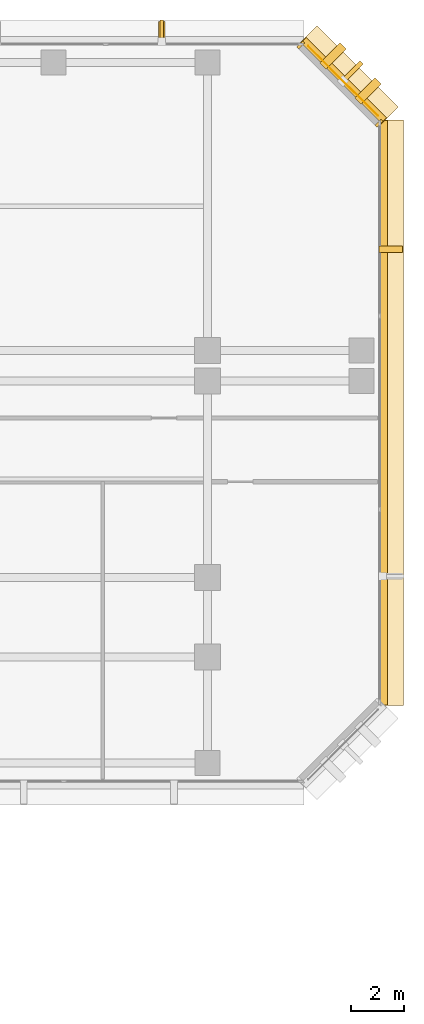
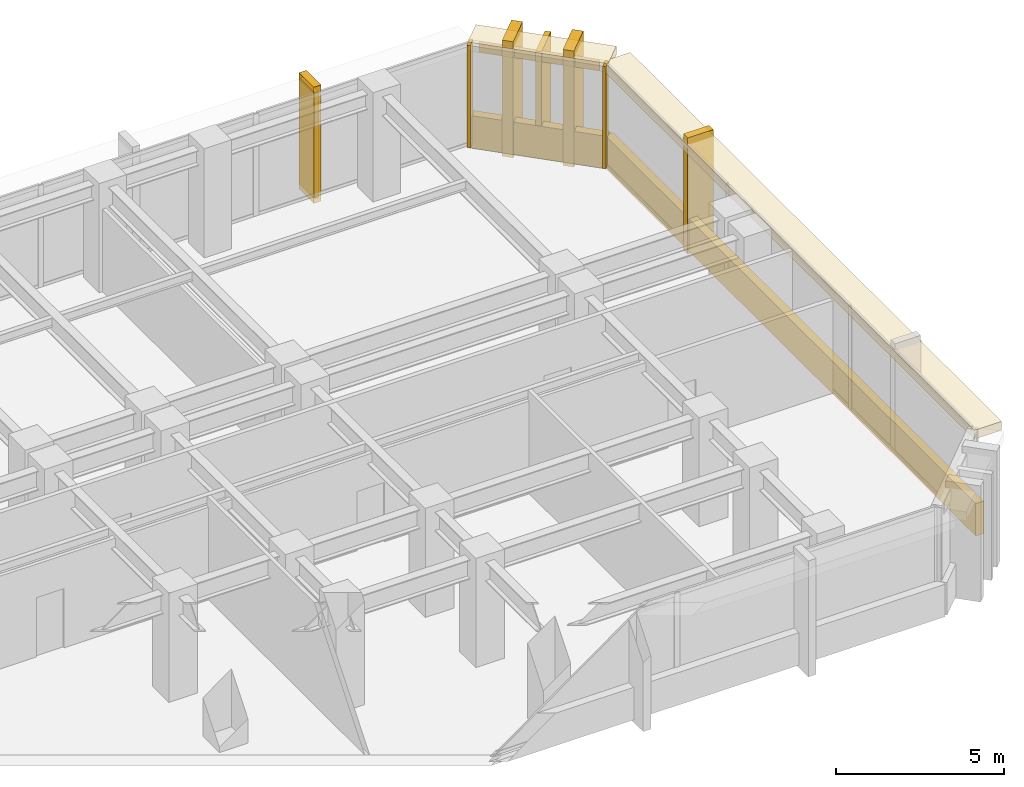
# One storey, part 14 of 14: 11 coverings, 2 shading devices.
"""IFC4 building model written with IfcOpenShell, lengths in metres."""

from ifc_helpers import new_model, si_unit, direction, frame, origin, origin_2d, place, context, subcontext, project, spatial, rectangle, extrude, material, layer, layer_set, material_profile, profile_set, type_object, element, save


model = new_model("IFC4")

# Units and contexts
model_context = context("Model", 3, precision=1e-05, world=origin(), true_north=direction((0.0, 1.0)))
body_context = subcontext(model_context, "Body", "Model", "MODEL_VIEW")
ifc_project = project(units=[si_unit("LENGTHUNIT", "METRE"), si_unit("AREAUNIT", "SQUARE_METRE"), si_unit("VOLUMEUNIT", "CUBIC_METRE"), si_unit("PLANEANGLEUNIT", "RADIAN"), si_unit("MASSUNIT", "GRAM", prefix="KILO")], contexts=[model_context])

# Site, building, storey
site_placement = place(None, origin())
site = spatial("IfcSite", under=ifc_project, at=site_placement, CompositionType="ELEMENT")
building_placement = place(site_placement, origin())
building = spatial("IfcBuilding", under=site, at=building_placement, Name="Kefirva Bronze Tower", CompositionType="ELEMENT")
storey_placement = place(building_placement, frame((0.0, 0.0, 34.320068359375)))
storey = spatial("IfcBuildingStorey", under=building, at=storey_placement, Name="L07", CompositionType="ELEMENT", Elevation=34.320068359375)

# Coverings
ifc_material = material(Name="Bronze anodised aluminium", Category="aluminium")
ifc_layer_1 = layer(ifc_material, 0.02001953125, Name="Bronze anodised aluminium")
ifc_layer_set_1 = layer_set([ifc_layer_1], Name="Bronze anodised aluminium")
covering_type_1 = type_object("IfcCoveringType", Name="Anodised Bronze Spandrel Cladding 20mm", PredefinedType="CLADDING", material=ifc_layer_set_1)
covering_1_placement = place(storey_placement, frame((56.0400390625, 32.0, -0.16015625), z_axis=(0.0, 0.0, 1.0), x_axis=(0.0, 1.0, 0.0)))
element("IfcCovering", 1, at=covering_1_placement, inside=storey, type_object=covering_type_1, Name="L07 Streamline Horizontal Spandrel Band 6", PredefinedType="CLADDING", context=body_context, shape_type="SweptSolid", body=[
    extrude(rectangle(XDim=22.0400390625, YDim=0.280029296875, at=origin_2d()), origin(), (0.0, 0.0, 1.0), 1.179931640625),
])
covering_2_placement = place(storey_placement, frame((54.507080078125, 44.507080078125, 3.2900390625), z_axis=(0.0, 0.0, 1.0), x_axis=(-0.707106781187, 0.707106781187, 0.0)))
element("IfcCovering", 2, at=covering_2_placement, inside=storey, type_object=covering_type_1, Name="L07 Bronze Spandrel Cladding 5", PredefinedType="CLADDING", context=body_context, shape_type="SweptSolid", body=[
    extrude(rectangle(XDim=3.719482421875, YDim=0.02001953125, at=origin_2d()), origin(), (0.0, 0.0, 1.0), 0.39990234375),
])
for number, where, z_axis, x_axis, name in (
    (3, (55.862060546875, 42.91162109375, 0.0), (0.0, 0.0, 1.0), (-0.707106781187, 0.707106781187, 0.0), "L07 Facade Joint Closure Panel 5S"),
    (4, (52.91162109375, 45.862060546875, 0.0), (0.0, 0.0, 1.0), (-0.707106781187, 0.707106781187, 0.0), "L07 Facade Joint Closure Panel 5E"),
):
    element("IfcCovering", number, at=place(storey_placement, frame(where, z_axis=z_axis, x_axis=x_axis)), inside=storey, type_object=covering_type_1, Name=name, PredefinedType="CLADDING", context=body_context, shape_type="SweptSolid", body=[
        extrude(rectangle(XDim=0.10009765625, YDim=0.320068359375, at=origin_2d()), origin(), (0.0, 0.0, 1.0), 3.7099609375),
    ])
covering_3_placement = place(storey_placement, frame((54.5283203125, 44.5283203125, -0.16015625), z_axis=(0.0, 0.0, 1.0), x_axis=(-0.707106781187, 0.707106781187, 0.0)))
element("IfcCovering", 5, at=covering_3_placement, inside=storey, type_object=covering_type_1, Name="L07 Streamline Horizontal Spandrel Band 7", PredefinedType="CLADDING", context=body_context, shape_type="SweptSolid", body=[
    extrude(rectangle(XDim=4.28271484375, YDim=0.280029296875, at=origin_2d()), origin(), (0.0, 0.0, 1.0), 1.179931640625),
])

# Shading device
ifc_material_profile_1 = material_profile(ifc_material, rectangle(XDim=0.179931640625, YDim=1.080078125, at=origin_2d()), Name="BRONZE BUTTRESS FIN 180x1080")
ifc_profile_set_1 = profile_set([ifc_material_profile_1], Name="Bronze anodised aluminium")
shading_device_type_1 = type_object("IfcShadingDeviceType", Name="Chamfered Corner Buttress Bronze Fin 1080mm", PredefinedType="USERDEFINED", material=ifc_profile_set_1)
shading_device_1_placement = place(storey_placement, frame((54.8251953125, 44.8251953125, -0.14013671875), z_axis=(0.0, 0.0, 1.0), x_axis=(-0.707106781187, 0.707106781187, 0.0)))
element("IfcShadingDevice", 6, at=shading_device_1_placement, inside=storey, type_object=shading_device_type_1, Name="L07 Chamfered Corner Buttress Fin 18", ObjectType="VERTICAL FIN", PredefinedType="USERDEFINED", context=body_context, shape_type="SweptSolid", body=[
    extrude(rectangle(XDim=0.179931640625, YDim=1.080078125, at=origin_2d()), origin(), (0.0, 0.0, 1.0), 3.85009765625),
])

# Coverings
ifc_layer_2 = layer(ifc_material, 0.179931640625, Name="Bronze anodised aluminium")
ifc_layer_set_2 = layer_set([ifc_layer_2], Name="Bronze anodised aluminium")
covering_type_2 = type_object("IfcCoveringType", Name="Streamline Bronze Sunshade Eyebrow Cladding 180mm", PredefinedType="CLADDING", material=ifc_layer_set_2)
covering_4_placement = place(storey_placement, frame((56.31005859375, 32.0, 3.39013671875), z_axis=(0.0, 0.0, 1.0), x_axis=(0.0, 1.0, 0.0)))
element("IfcCovering", 7, at=covering_4_placement, inside=storey, type_object=covering_type_2, Name="L07 Streamline Bronze Sunshade Eyebrow 6", PredefinedType="CLADDING", context=body_context, shape_type="SweptSolid", body=[
    extrude(rectangle(XDim=22.080078125, YDim=0.93994140625, at=origin_2d()), origin(), (0.0, 0.0, 1.0), 0.320068359375),
])
covering_5_placement = place(storey_placement, frame((54.71923828125, 44.71923828125, 3.39013671875), z_axis=(0.0, 0.0, 1.0), x_axis=(-0.707106781187, 0.707106781187, 0.0)))
element("IfcCovering", 8, at=covering_5_placement, inside=storey, type_object=covering_type_2, Name="L07 Streamline Bronze Sunshade Eyebrow 7", PredefinedType="CLADDING", context=body_context, shape_type="SweptSolid", body=[
    extrude(rectangle(XDim=4.322509765625, YDim=0.93994140625, at=origin_2d()), origin(), (0.0, 0.0, 1.0), 0.320068359375),
])
ifc_layer_3 = layer(ifc_material, 0.260009765625, Name="Bronze anodised aluminium")
ifc_layer_set_3 = layer_set([ifc_layer_3], Name="Bronze anodised aluminium")
covering_type_3 = type_object("IfcCoveringType", Name="Unbroken Bronze Buttress Fin Cladding 260mm", PredefinedType="CLADDING", material=ifc_layer_set_3)
covering_6_placement = place(storey_placement, frame((56.300048828125, 38.159912109375, -0.25), z_axis=(0.0, 0.0, 1.0), x_axis=(0.0, 1.0, 0.0)))
element("IfcCovering", 9, at=covering_6_placement, inside=storey, type_object=covering_type_3, Name="L07 Unbroken Vertical Bronze Rib Fin 16", PredefinedType="CLADDING", context=body_context, shape_type="SweptSolid", body=[
    extrude(rectangle(XDim=0.260009765625, YDim=0.8798828125, at=origin_2d()), origin(), (0.0, 0.0, 1.0), 4.2099609375),
])
for number, where, z_axis, x_axis, name in (
    (10, (55.44287109375, 44.122802734375, -0.25), (0.0, 0.0, 1.0), (-0.707106781187, 0.707106781187, 0.0), "L07 Chamfered Corner Buttress Fin Cladding 17"),
    (11, (54.122802734375, 45.44287109375, -0.25), (0.0, 0.0, 1.0), (-0.707106781187, 0.707106781187, 0.0), "L07 Chamfered Corner Buttress Fin Cladding 18"),
):
    element("IfcCovering", number, at=place(storey_placement, frame(where, z_axis=z_axis, x_axis=x_axis)), inside=storey, type_object=covering_type_3, Name=name, PredefinedType="CLADDING", context=body_context, shape_type="SweptSolid", body=[
        extrude(rectangle(XDim=0.340087890625, YDim=1.080078125, at=origin_2d()), origin(), (0.0, 0.0, 1.0), 4.2099609375),
    ])
covering_7_placement = place(storey_placement, frame((47.6728515625, 46.300048828125, -0.25), z_axis=(0.0, 0.0, 1.0), x_axis=(-1.0, 0.0, 0.0)))
element("IfcCovering", 12, at=covering_7_placement, inside=storey, type_object=covering_type_3, Name="L07 Unbroken Vertical Bronze Rib Fin 19", PredefinedType="CLADDING", context=body_context, shape_type="SweptSolid", body=[
    extrude(rectangle(XDim=0.260009765625, YDim=0.8798828125, at=origin_2d()), origin(), (0.0, 0.0, 1.0), 4.2099609375),
])

# Shading device
ifc_material_profile_2 = material_profile(ifc_material, rectangle(XDim=0.139892578125, YDim=0.8798828125, at=origin_2d()), Name="BRONZE FIN 140x880")
ifc_profile_set_2 = profile_set([ifc_material_profile_2], Name="Bronze anodised aluminium")
shading_device_type_2 = type_object("IfcShadingDeviceType", Name="Unbroken Vertical Bronze Facade Fin 880mm", PredefinedType="USERDEFINED", material=ifc_profile_set_2)
shading_device_2_placement = place(storey_placement, frame((47.6728515625, 46.360107421875, -0.14013671875), z_axis=(0.0, 0.0, 1.0), x_axis=(-1.0, 0.0, 0.0)))
element("IfcShadingDevice", 13, at=shading_device_2_placement, inside=storey, type_object=shading_device_type_2, Name="L07 Vertical Bronze Rib Fin 19", ObjectType="VERTICAL FIN", PredefinedType="USERDEFINED", context=body_context, shape_type="SweptSolid", body=[
    extrude(rectangle(XDim=0.139892578125, YDim=0.8798828125, at=origin_2d()), origin(), (0.0, 0.0, 1.0), 3.85009765625),
])

save(model, "model.ifc")
